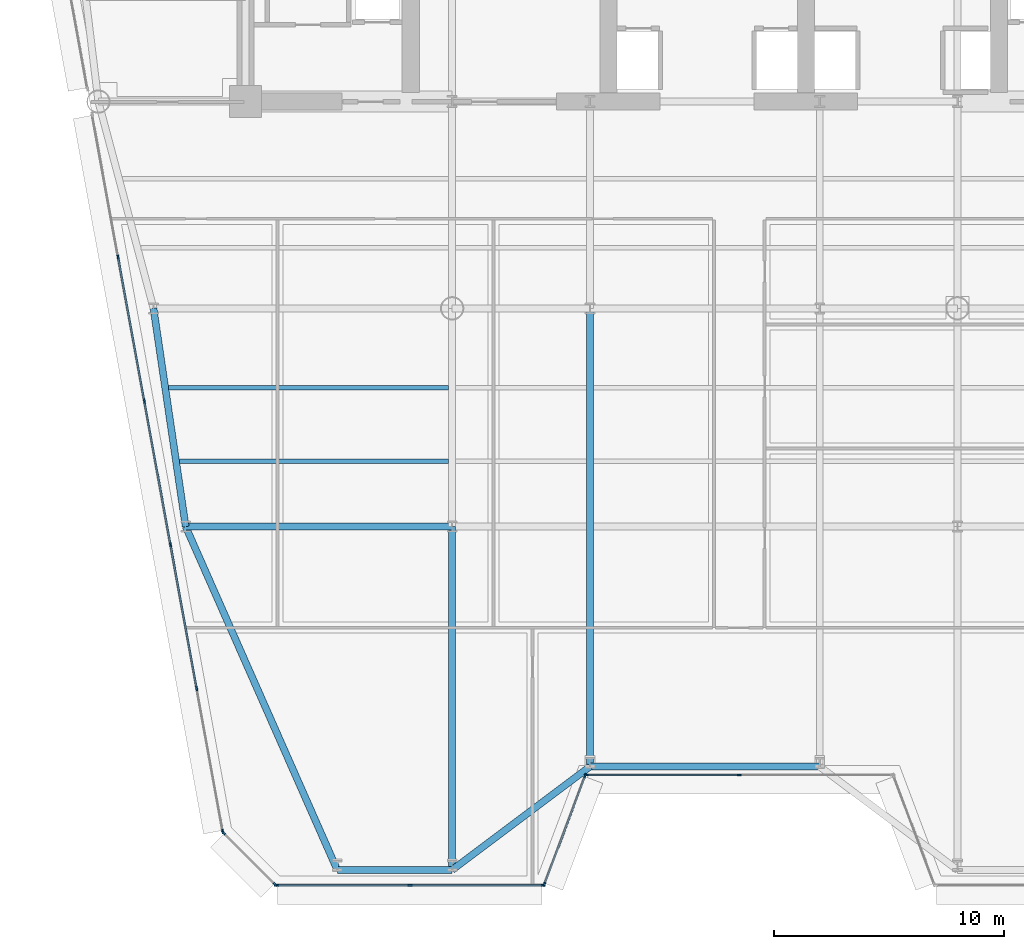
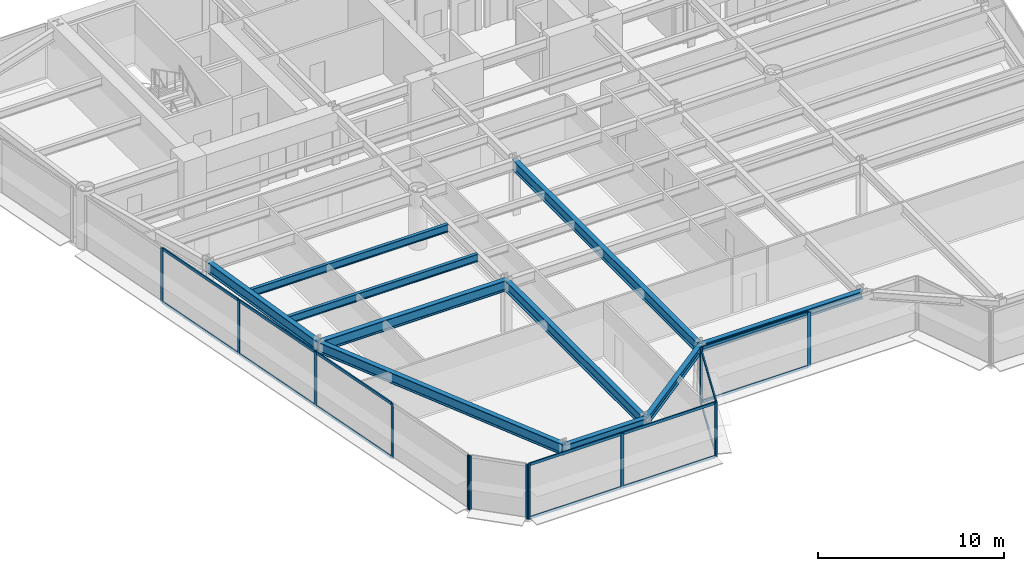
# One storey, part 2 of 14: 28 members, 10 beams, 5 elements without a shape of their own.
"""IFC4 building model written with IfcOpenShell, lengths in metres."""

from ifc_helpers import new_model, si_unit, direction, frame, origin, origin_2d, place, context, subcontext, project, spatial, rectangle, i_section, extrude, source, transform, mapped, material, layer, layer_set, material_profile, profile_set, type_object, element, aggregate, save


model = new_model("IFC4")

# Units and contexts
model_context = context("Model", 3, precision=1e-05, world=origin(), true_north=direction((0.0, 1.0)))
body_context = subcontext(model_context, "Body", "Model", "MODEL_VIEW")
ifc_project = project(units=[si_unit("LENGTHUNIT", "METRE"), si_unit("AREAUNIT", "SQUARE_METRE"), si_unit("VOLUMEUNIT", "CUBIC_METRE"), si_unit("PLANEANGLEUNIT", "RADIAN"), si_unit("MASSUNIT", "GRAM", prefix="KILO")], contexts=[model_context])

# Site, building, storey
site_placement = place(None, origin())
site = spatial("IfcSite", under=ifc_project, at=site_placement, CompositionType="ELEMENT")
building_placement = place(site_placement, origin())
building = spatial("IfcBuilding", under=site, at=building_placement, Name="Vaeldorn Concourse Tower", CompositionType="ELEMENT")
storey_placement = place(building_placement, frame((0.0, 0.0, 107.199951171875)))
storey = spatial("IfcBuildingStorey", under=building, at=storey_placement, Name="L27", CompositionType="ELEMENT", Elevation=107.199951171875)

# Beams
ifc_material_1 = material(Name="Steel S355", Category="steel")
ifc_material_profile_1 = material_profile(ifc_material_1, i_section(OverallWidth=0.199951171875, OverallDepth=0.5, WebThickness=0.01025390625, FlangeThickness=0.01611328125, FilletRadius=0.02099609375, at=origin_2d()), Name="IPE 500")
ifc_profile_set_1 = profile_set([ifc_material_profile_1], Name="Steel S355")
beam_type_1 = type_object("IfcBeamType", Name="BM-JS-IPE500", PredefinedType="JOIST", material=ifc_profile_set_1)
shared_shape_1 = source(origin(), body_context, "Body", "SweptSolid", [
    extrude(i_section(OverallWidth=0.199951171875, OverallDepth=0.5, WebThickness=0.01025390625, FlangeThickness=0.01611328125, FilletRadius=0.02099609375, at=origin_2d()), origin(), (0.0, 0.0, 1.0), 11.718505859375),
])
beam_1_placement = place(storey_placement, frame((11.131591796875, 20.840087890625, 3.330078125), z_axis=(1.0, 0.0, 0.0), x_axis=(0.0, 1.0, 0.0)))
element("IfcBeam", 1, at=beam_1_placement, inside=storey, type_object=beam_type_1, Name="Beam JS-L27-W1-208", PredefinedType="JOIST", context=body_context, shape_type="MappedRepresentation", body=[
    mapped(shared_shape_1, transform((0.0, 0.0, 0.0), scale=1.0)),
])
shared_shape_2 = source(origin(), body_context, "Body", "SweptSolid", [
    extrude(i_section(OverallWidth=0.199951171875, OverallDepth=0.5, WebThickness=0.01025390625, FlangeThickness=0.01611328125, FilletRadius=0.02099609375, at=origin_2d()), origin(), (0.0, 0.0, 1.0), 12.190185546875),
])
beam_2_placement = place(storey_placement, frame((10.659912109375, 24.0400390625, 3.330078125), z_axis=(1.0, 0.0, 0.0), x_axis=(0.0, 1.0, 0.0)))
element("IfcBeam", 2, at=beam_2_placement, inside=storey, type_object=beam_type_1, Name="Beam JS-L27-W1-240", PredefinedType="JOIST", context=body_context, shape_type="MappedRepresentation", body=[
    mapped(shared_shape_2, transform((0.0, 0.0, 0.0), scale=1.0)),
])
ifc_material_profile_2 = material_profile(ifc_material_1, i_section(OverallWidth=0.300048828125, OverallDepth=0.5, WebThickness=0.014404296875, FlangeThickness=0.028076171875, FilletRadius=0.027099609375, at=origin_2d()), Name="HEB 500")
ifc_profile_set_2 = profile_set([ifc_material_profile_2], Name="Steel S355")
beam_type_2 = type_object("IfcBeamType", Name="BM-SP-HEB500", PredefinedType="SPANDREL", material=ifc_profile_set_2)
shared_shape_3 = source(origin(), body_context, "Body", "SweptSolid", [
    extrude(i_section(OverallWidth=0.300048828125, OverallDepth=0.5, WebThickness=0.014404296875, FlangeThickness=0.028076171875, FilletRadius=0.027099609375, at=origin_2d()), origin(), (0.0, 0.0, 1.0), 5.0),
])
beam_3_placement = place(storey_placement, frame((18.0, 3.0517578125, 3.330078125), z_axis=(1.0, 0.0, 0.0), x_axis=(0.0, 1.0, 0.0)))
element("IfcBeam", 3, at=beam_3_placement, inside=storey, type_object=beam_type_2, Name="Beam BM-L27-C-SF1-C-SF2", PredefinedType="SPANDREL", context=body_context, shape_type="MappedRepresentation", body=[
    mapped(shared_shape_3, transform((0.0, 0.0, 0.0), scale=1.0)),
])
shared_shape_4 = source(origin(), body_context, "Body", "SweptSolid", [
    extrude(i_section(OverallWidth=0.300048828125, OverallDepth=0.5, WebThickness=0.014404296875, FlangeThickness=0.028076171875, FilletRadius=0.027099609375, at=origin_2d()), origin(), (0.0, 0.0, 1.0), 7.5),
])
beam_4_placement = place(storey_placement, frame((23.0, 3.0517578125, 3.330078125), z_axis=(0.8, 0.6, 0.0), x_axis=(-0.6, 0.8, 0.0)))
element("IfcBeam", 4, at=beam_4_placement, inside=storey, type_object=beam_type_2, Name="Beam BM-L27-C-SF2-C-SF3", PredefinedType="SPANDREL", context=body_context, shape_type="MappedRepresentation", body=[
    mapped(shared_shape_4, transform((0.0, 0.0, 0.0), scale=1.0)),
])
shared_shape_5 = source(origin(), body_context, "Body", "SweptSolid", [
    extrude(i_section(OverallWidth=0.300048828125, OverallDepth=0.5, WebThickness=0.014404296875, FlangeThickness=0.028076171875, FilletRadius=0.027099609375, at=origin_2d()), origin(), (0.0, 0.0, 1.0), 10.0),
])
beam_5_placement = place(storey_placement, frame((29.0, 7.5517578125, 3.330078125), z_axis=(1.0, 0.0, 0.0), x_axis=(0.0, 1.0, 0.0)))
element("IfcBeam", 5, at=beam_5_placement, inside=storey, type_object=beam_type_2, Name="Beam BM-L27-C-SF3-C-SF4", PredefinedType="SPANDREL", context=body_context, shape_type="MappedRepresentation", body=[
    mapped(shared_shape_5, transform((0.0, 0.0, 0.0), scale=1.0)),
])
ifc_material_profile_3 = material_profile(ifc_material_1, i_section(OverallWidth=0.300048828125, OverallDepth=0.699951171875, WebThickness=0.01708984375, FlangeThickness=0.031982421875, FilletRadius=0.027099609375, at=origin_2d()), Name="HEB 700")
ifc_profile_set_3 = profile_set([ifc_material_profile_3], Name="Steel S355")
beam_type_3 = type_object("IfcBeamType", Name="BM-PG-HEB700", PredefinedType="BEAM", material=ifc_profile_set_3)
shared_shape_6 = source(origin(), body_context, "Body", "SweptSolid", [
    extrude(i_section(OverallWidth=0.300048828125, OverallDepth=0.699951171875, WebThickness=0.01708984375, FlangeThickness=0.031982421875, FilletRadius=0.027099609375, at=origin_2d()), origin(), (0.0, 0.0, 1.0), 9.6025390625),
])
beam_6_placement = place(storey_placement, frame((10.0, 27.5, 3.22998046875), z_axis=(0.145783835977, -0.989316467652, 0.0), x_axis=(0.989316467652, 0.145783835977, 0.0)))
element("IfcBeam", 6, at=beam_6_placement, inside=storey, type_object=beam_type_3, Name="Beam BM-L27-C-FLW1-C-FLW2", PredefinedType="BEAM", context=body_context, shape_type="MappedRepresentation", body=[
    mapped(shared_shape_6, transform((0.0, 0.0, 0.0), scale=1.0)),
])
shared_shape_7 = source(origin(), body_context, "Body", "SweptSolid", [
    extrude(i_section(OverallWidth=0.300048828125, OverallDepth=0.699951171875, WebThickness=0.01708984375, FlangeThickness=0.031982421875, FilletRadius=0.027099609375, at=origin_2d()), origin(), (0.0, 0.0, 1.0), 11.60009765625),
])
beam_7_placement = place(storey_placement, frame((11.39990234375, 18.0, 3.22998046875), z_axis=(1.0, 0.0, 0.0), x_axis=(0.0, 1.0, 0.0)))
element("IfcBeam", 7, at=beam_7_placement, inside=storey, type_object=beam_type_3, Name="Beam BM-L27-C-FLW2-C-TW5", PredefinedType="BEAM", context=body_context, shape_type="MappedRepresentation", body=[
    mapped(shared_shape_7, transform((0.0, 0.0, 0.0), scale=1.0)),
])
shared_shape_8 = source(origin(), body_context, "Body", "SweptSolid", [
    extrude(i_section(OverallWidth=0.300048828125, OverallDepth=0.699951171875, WebThickness=0.01708984375, FlangeThickness=0.031982421875, FilletRadius=0.027099609375, at=origin_2d()), origin(), (0.0, 0.0, 1.0), 16.340576171875),
])
beam_8_placement = place(storey_placement, frame((18.0, 3.0517578125, 3.22998046875), z_axis=(-0.403910920123, 0.914798321274, 0.0), x_axis=(-0.914798321274, -0.403910920123, 0.0)))
element("IfcBeam", 8, at=beam_8_placement, inside=storey, type_object=beam_type_3, Name="Beam BM-L27-C-SF1-C-FLW2", PredefinedType="BEAM", context=body_context, shape_type="MappedRepresentation", body=[
    mapped(shared_shape_8, transform((0.0, 0.0, 0.0), scale=1.0)),
])
shared_shape_9 = source(origin(), body_context, "Body", "SweptSolid", [
    extrude(i_section(OverallWidth=0.300048828125, OverallDepth=0.699951171875, WebThickness=0.01708984375, FlangeThickness=0.031982421875, FilletRadius=0.027099609375, at=origin_2d()), origin(), (0.0, 0.0, 1.0), 14.9482421875),
])
beam_9_placement = place(storey_placement, frame((23.0, 3.0517578125, 3.22998046875), z_axis=(0.0, 1.0, 0.0), x_axis=(-1.0, 0.0, 0.0)))
element("IfcBeam", 9, at=beam_9_placement, inside=storey, type_object=beam_type_3, Name="Beam BM-L27-C-SF2-C-TW5", PredefinedType="BEAM", context=body_context, shape_type="MappedRepresentation", body=[
    mapped(shared_shape_9, transform((0.0, 0.0, 0.0), scale=1.0)),
])
shared_shape_10 = source(origin(), body_context, "Body", "SweptSolid", [
    extrude(i_section(OverallWidth=0.300048828125, OverallDepth=0.699951171875, WebThickness=0.01708984375, FlangeThickness=0.031982421875, FilletRadius=0.027099609375, at=origin_2d()), origin(), (0.0, 0.0, 1.0), 19.9482421875),
])
beam_10_placement = place(storey_placement, frame((29.0, 7.5517578125, 3.22998046875), z_axis=(0.0, 1.0, 0.0), x_axis=(-1.0, 0.0, 0.0)))
element("IfcBeam", 10, at=beam_10_placement, inside=storey, type_object=beam_type_3, Name="Beam BM-L27-C-SF3-C-TW2", PredefinedType="BEAM", context=body_context, shape_type="MappedRepresentation", body=[
    mapped(shared_shape_10, transform((0.0, 0.0, 0.0), scale=1.0)),
])

# Curtain wall, members
ifc_material_2 = material(Name="Anodised Bronze Aluminium", Category="aluminium")
ifc_layer = layer(ifc_material_2, 0.199951171875)
ifc_layer_set = layer_set([ifc_layer], Name="Anodised Bronze Aluminium")
curtain_wall_type = type_object("IfcCurtainWallType", Name="CW-SYS-02", PredefinedType="NOTDEFINED", material=ifc_layer_set)
curtain_wall_1_placement = place(storey_placement, origin())
curtain_wall_1 = element("IfcCurtainWall", 11, at=curtain_wall_1_placement, inside=storey, type_object=curtain_wall_type, Name="Unitised Curtain Wall CW-L27-E03-1", PredefinedType="NOTDEFINED")
ifc_material_profile_4 = material_profile(ifc_material_2, rectangle(XDim=0.074951171875, YDim=0.179931640625, at=origin_2d()), Name="CWT 75x180")
ifc_profile_set_4 = profile_set([ifc_material_profile_4], Name="Anodised Bronze Aluminium")
member_type_1 = type_object("IfcMemberType", Name="CWT-BRONZE-180", PredefinedType="USERDEFINED", material=ifc_profile_set_4)
shared_shape_11 = source(origin(), body_context, "Body", "SweptSolid", [
    extrude(rectangle(XDim=0.074951171875, YDim=0.179931640625, at=origin_2d()), origin(), (0.0, 0.0, 1.0), 6.58740234375),
])
member_1_placement = place(storey_placement, frame((28.875, 7.19091796875, 0.03759765625), z_axis=(1.0, 0.0, 0.0), x_axis=(0.0, 1.0, 0.0)))
member_1 = element("IfcMember", 12, at=member_1_placement, type_object=member_type_1, Name="CW-02 transom 1.1", ObjectType="TRANSOM", PredefinedType="USERDEFINED", context=body_context, shape_type="MappedRepresentation", body=[
    mapped(shared_shape_11, transform((0.0, 0.0, 0.0), scale=1.0)),
])
member_2_placement = place(storey_placement, frame((28.875, 7.19091796875, 3.54248046875), z_axis=(1.0, 0.0, 0.0), x_axis=(0.0, 1.0, 0.0)))
member_2 = element("IfcMember", 13, at=member_2_placement, type_object=member_type_1, Name="CW-02 transom 1.2", ObjectType="TRANSOM", PredefinedType="USERDEFINED", context=body_context, shape_type="MappedRepresentation", body=[
    mapped(shared_shape_11, transform((0.0, 0.0, 0.0), scale=1.0)),
])

curtain_wall_2_placement = place(storey_placement, origin())
curtain_wall_2 = element("IfcCurtainWall", 14, at=curtain_wall_2_placement, inside=storey, type_object=curtain_wall_type, Name="Unitised Curtain Wall CW-L27-E02-1", PredefinedType="NOTDEFINED")
shared_shape_12 = source(origin(), body_context, "Body", "SweptSolid", [
    extrude(rectangle(XDim=0.074951171875, YDim=0.179931640625, at=origin_2d()), origin(), (0.0, 0.0, 1.0), 4.9765625),
])
member_3_placement = place(storey_placement, frame((27.0263671875, 2.4609375, 0.03759765625), z_axis=(0.351112688987, 0.936333209724, 0.0), x_axis=(-0.936333209724, 0.351112688987, 0.0)))
member_3 = element("IfcMember", 15, at=member_3_placement, type_object=member_type_1, Name="CW-02 transom 1.1", ObjectType="TRANSOM", PredefinedType="USERDEFINED", context=body_context, shape_type="MappedRepresentation", body=[
    mapped(shared_shape_12, transform((0.0, 0.0, 0.0), scale=1.0)),
])
member_4_placement = place(storey_placement, frame((27.0263671875, 2.4609375, 3.54248046875), z_axis=(0.351112688987, 0.936333209724, 0.0), x_axis=(-0.936333209724, 0.351112688987, 0.0)))
member_4 = element("IfcMember", 16, at=member_4_placement, type_object=member_type_1, Name="CW-02 transom 1.2", ObjectType="TRANSOM", PredefinedType="USERDEFINED", context=body_context, shape_type="MappedRepresentation", body=[
    mapped(shared_shape_12, transform((0.0, 0.0, 0.0), scale=1.0)),
])

curtain_wall_3_placement = place(storey_placement, origin())
curtain_wall_3 = element("IfcCurtainWall", 17, at=curtain_wall_3_placement, inside=storey, type_object=curtain_wall_type, Name="Unitised Curtain Wall CW-L27-E01-1", PredefinedType="NOTDEFINED")
shared_shape_13 = source(origin(), body_context, "Body", "SweptSolid", [
    extrude(rectangle(XDim=0.074951171875, YDim=0.179931640625, at=origin_2d()), origin(), (0.0, 0.0, 1.0), 5.727294921875),
])
member_5_placement = place(storey_placement, frame((15.3955078125, 2.390869140625, 0.03759765625), z_axis=(1.0, 0.0, 0.0), x_axis=(0.0, 1.0, 0.0)))
member_5 = element("IfcMember", 18, at=member_5_placement, type_object=member_type_1, Name="CW-02 transom 1.1", ObjectType="TRANSOM", PredefinedType="USERDEFINED", context=body_context, shape_type="MappedRepresentation", body=[
    mapped(shared_shape_13, transform((0.0, 0.0, 0.0), scale=1.0)),
])
member_6_placement = place(storey_placement, frame((15.3955078125, 2.390869140625, 3.54248046875), z_axis=(1.0, 0.0, 0.0), x_axis=(0.0, 1.0, 0.0)))
member_6 = element("IfcMember", 19, at=member_6_placement, type_object=member_type_1, Name="CW-02 transom 1.2", ObjectType="TRANSOM", PredefinedType="USERDEFINED", context=body_context, shape_type="MappedRepresentation", body=[
    mapped(shared_shape_13, transform((0.0, 0.0, 0.0), scale=1.0)),
])
member_7_placement = place(storey_placement, frame((21.19775390625, 2.390869140625, 0.03759765625), z_axis=(1.0, 0.0, 0.0), x_axis=(0.0, 1.0, 0.0)))
member_7 = element("IfcMember", 20, at=member_7_placement, type_object=member_type_1, Name="CW-02 transom 2.1", ObjectType="TRANSOM", PredefinedType="USERDEFINED", context=body_context, shape_type="MappedRepresentation", body=[
    mapped(shared_shape_13, transform((0.0, 0.0, 0.0), scale=1.0)),
])
member_8_placement = place(storey_placement, frame((21.19775390625, 2.390869140625, 3.54248046875), z_axis=(1.0, 0.0, 0.0), x_axis=(0.0, 1.0, 0.0)))
member_8 = element("IfcMember", 21, at=member_8_placement, type_object=member_type_1, Name="CW-02 transom 2.2", ObjectType="TRANSOM", PredefinedType="USERDEFINED", context=body_context, shape_type="MappedRepresentation", body=[
    mapped(shared_shape_13, transform((0.0, 0.0, 0.0), scale=1.0)),
])
ifc_material_profile_5 = material_profile(ifc_material_2, rectangle(XDim=0.074951171875, YDim=0.18994140625, at=origin_2d()), Name="CWM 75x190")
ifc_profile_set_5 = profile_set([ifc_material_profile_5], Name="Anodised Bronze Aluminium")
member_type_2 = type_object("IfcMemberType", Name="CWM-BRONZE-190", PredefinedType="MULLION", material=ifc_profile_set_5)
shared_shape_14 = source(origin(), body_context, "Body", "SweptSolid", [
    extrude(rectangle(XDim=0.074951171875, YDim=0.18994140625, at=origin_2d()), origin(), (0.0, 0.0, 1.0), 3.580078125),
])
member_9_placement = place(storey_placement, frame((15.35791015625, 2.390869140625, 0.0), z_axis=(0.0, 0.0, 1.0), x_axis=(0.0, 1.0, 0.0)))
member_9 = element("IfcMember", 22, at=member_9_placement, type_object=member_type_2, Name="CW-02 mullion 1", PredefinedType="MULLION", context=body_context, shape_type="MappedRepresentation", body=[
    mapped(shared_shape_14, transform((0.0, 0.0, 0.0), scale=1.0)),
])
member_10_placement = place(storey_placement, frame((21.16015625, 2.390869140625, 0.0), z_axis=(0.0, 0.0, 1.0), x_axis=(0.0, 1.0, 0.0)))
member_10 = element("IfcMember", 23, at=member_10_placement, type_object=member_type_2, Name="CW-02 mullion 2", PredefinedType="MULLION", context=body_context, shape_type="MappedRepresentation", body=[
    mapped(shared_shape_14, transform((0.0, 0.0, 0.0), scale=1.0)),
])
member_11_placement = place(storey_placement, frame((26.96240234375, 2.390869140625, 0.0), z_axis=(0.0, 0.0, 1.0), x_axis=(0.0, 1.0, 0.0)))
member_11 = element("IfcMember", 24, at=member_11_placement, type_object=member_type_2, Name="CW-02 mullion 3", PredefinedType="MULLION", context=body_context, shape_type="MappedRepresentation", body=[
    mapped(shared_shape_14, transform((0.0, 0.0, 0.0), scale=1.0)),
])
aggregate(curtain_wall_3, [member_9, member_10, member_11, member_5, member_6, member_7, member_8])

# Member
member_12_placement = place(storey_placement, frame((27.01318359375, 2.426025390625, 0.0), z_axis=(0.0, 0.0, 1.0), x_axis=(-0.936329177566, 0.351123441595, 0.0)))
member_12 = element("IfcMember", 25, at=member_12_placement, type_object=member_type_2, Name="CW-02 mullion 1", PredefinedType="MULLION", context=body_context, shape_type="MappedRepresentation", body=[
    mapped(shared_shape_14, transform((0.0, 0.0, 0.0), scale=1.0)),
])

member_13_placement = place(storey_placement, frame((28.786865234375, 7.15576171875, 0.0), z_axis=(0.0, 0.0, 1.0), x_axis=(-0.936329177566, 0.351123441595, 0.0)))
member_13 = element("IfcMember", 26, at=member_13_placement, type_object=member_type_2, Name="CW-02 mullion 2", PredefinedType="MULLION", context=body_context, shape_type="MappedRepresentation", body=[
    mapped(shared_shape_14, transform((0.0, 0.0, 0.0), scale=1.0)),
])

aggregate(curtain_wall_2, [member_12, member_13, member_3, member_4])

member_14_placement = place(storey_placement, frame((28.83740234375, 7.19091796875, 0.0), z_axis=(0.0, 0.0, 1.0), x_axis=(0.0, 1.0, 0.0)))
member_14 = element("IfcMember", 27, at=member_14_placement, type_object=member_type_2, Name="CW-02 mullion 1", PredefinedType="MULLION", context=body_context, shape_type="MappedRepresentation", body=[
    mapped(shared_shape_14, transform((0.0, 0.0, 0.0), scale=1.0)),
])

member_15_placement = place(storey_placement, frame((35.5, 7.19091796875, 0.0), z_axis=(0.0, 0.0, 1.0), x_axis=(0.0, 1.0, 0.0)))
member_15 = element("IfcMember", 28, at=member_15_placement, type_object=member_type_2, Name="CW-02 mullion 2", PredefinedType="MULLION", context=body_context, shape_type="MappedRepresentation", body=[
    mapped(shared_shape_14, transform((0.0, 0.0, 0.0), scale=1.0)),
])

aggregate(curtain_wall_1, [member_14, member_15, member_1, member_2])

# Curtain wall, members
curtain_wall_4_placement = place(storey_placement, origin())
curtain_wall_4 = element("IfcCurtainWall", 29, at=curtain_wall_4_placement, inside=storey, type_object=curtain_wall_type, Name="Unitised Curtain Wall CW-L27-E11-2", PredefinedType="NOTDEFINED")
member_16_placement = place(storey_placement, frame((8.458251953125, 29.723876953125, 0.0), z_axis=(0.0, 0.0, 1.0), x_axis=(0.983795727872, 0.179292960877, 0.0)))
member_16 = element("IfcMember", 30, at=member_16_placement, type_object=member_type_2, Name="CW-02 mullion 2", PredefinedType="MULLION", context=body_context, shape_type="MappedRepresentation", body=[
    mapped(shared_shape_14, transform((0.0, 0.0, 0.0), scale=1.0)),
])
member_17_placement = place(storey_placement, frame((9.598876953125, 23.465576171875, 0.0), z_axis=(0.0, 0.0, 1.0), x_axis=(0.983795727872, 0.179292960877, 0.0)))
member_17 = element("IfcMember", 31, at=member_17_placement, type_object=member_type_2, Name="CW-02 mullion 3", PredefinedType="MULLION", context=body_context, shape_type="MappedRepresentation", body=[
    mapped(shared_shape_14, transform((0.0, 0.0, 0.0), scale=1.0)),
])
member_18_placement = place(storey_placement, frame((10.739501953125, 17.207275390625, 0.0), z_axis=(0.0, 0.0, 1.0), x_axis=(0.983795727872, 0.179292960877, 0.0)))
member_18 = element("IfcMember", 32, at=member_18_placement, type_object=member_type_2, Name="CW-02 mullion 4", PredefinedType="MULLION", context=body_context, shape_type="MappedRepresentation", body=[
    mapped(shared_shape_14, transform((0.0, 0.0, 0.0), scale=1.0)),
])
member_19_placement = place(storey_placement, frame((11.8798828125, 10.948974609375, 0.0), z_axis=(0.0, 0.0, 1.0), x_axis=(0.983795727872, 0.179292960877, 0.0)))
member_19 = element("IfcMember", 33, at=member_19_placement, type_object=member_type_2, Name="CW-02 mullion 5", PredefinedType="MULLION", context=body_context, shape_type="MappedRepresentation", body=[
    mapped(shared_shape_14, transform((0.0, 0.0, 0.0), scale=1.0)),
])
member_20_placement = place(storey_placement, frame((13.013671875, 4.727783203125, 0.0), z_axis=(0.0, 0.0, 1.0), x_axis=(0.983795727872, 0.179292960877, 0.0)))
member_20 = element("IfcMember", 34, at=member_20_placement, type_object=member_type_2, Name="CW-02 mullion 6", PredefinedType="MULLION", context=body_context, shape_type="MappedRepresentation", body=[
    mapped(shared_shape_14, transform((0.0, 0.0, 0.0), scale=1.0)),
])

curtain_wall_5_placement = place(storey_placement, origin())
curtain_wall_5 = element("IfcCurtainWall", 35, at=curtain_wall_5_placement, inside=storey, type_object=curtain_wall_type, Name="Unitised Curtain Wall CW-L27-E12-1", PredefinedType="NOTDEFINED")
member_21_placement = place(storey_placement, frame((13.047119140625, 4.664306640625, 0.0), z_axis=(0.0, 0.0, 1.0), x_axis=(0.707106781187, 0.707106781187, 0.0)))
member_21 = element("IfcMember", 36, at=member_21_placement, type_object=member_type_2, Name="CW-02 mullion 1", PredefinedType="MULLION", context=body_context, shape_type="MappedRepresentation", body=[
    mapped(shared_shape_14, transform((0.0, 0.0, 0.0), scale=1.0)),
])
member_22_placement = place(storey_placement, frame((15.2939453125, 2.417236328125, 0.0), z_axis=(0.0, 0.0, 1.0), x_axis=(0.707106781187, 0.707106781187, 0.0)))
member_22 = element("IfcMember", 37, at=member_22_placement, type_object=member_type_2, Name="CW-02 mullion 2", PredefinedType="MULLION", context=body_context, shape_type="MappedRepresentation", body=[
    mapped(shared_shape_14, transform((0.0, 0.0, 0.0), scale=1.0)),
])
aggregate(curtain_wall_5, [member_21, member_22])

# Member
shared_shape_15 = source(origin(), body_context, "Body", "SweptSolid", [
    extrude(rectangle(XDim=0.074951171875, YDim=0.179931640625, at=origin_2d()), origin(), (0.0, 0.0, 1.0), 6.286376953125),
])
member_23_placement = place(storey_placement, frame((9.605712890625, 23.4287109375, 0.03759765625), z_axis=(0.179268194881, -0.983800241057, 0.0), x_axis=(0.983800241057, 0.179268194881, 0.0)))
member_23 = element("IfcMember", 38, at=member_23_placement, type_object=member_type_1, Name="CW-02 transom 3.1", ObjectType="TRANSOM", PredefinedType="USERDEFINED", context=body_context, shape_type="MappedRepresentation", body=[
    mapped(shared_shape_15, transform((0.0, 0.0, 0.0), scale=1.0)),
])

member_24_placement = place(storey_placement, frame((9.605712890625, 23.4287109375, 3.54248046875), z_axis=(0.179268194881, -0.983800241057, 0.0), x_axis=(0.983800241057, 0.179268194881, 0.0)))
member_24 = element("IfcMember", 39, at=member_24_placement, type_object=member_type_1, Name="CW-02 transom 3.2", ObjectType="TRANSOM", PredefinedType="USERDEFINED", context=body_context, shape_type="MappedRepresentation", body=[
    mapped(shared_shape_15, transform((0.0, 0.0, 0.0), scale=1.0)),
])

member_25_placement = place(storey_placement, frame((10.74609375, 17.17041015625, 0.03759765625), z_axis=(0.179305782668, -0.983793391064, 0.0), x_axis=(0.983793391064, 0.179305782668, 0.0)))
member_25 = element("IfcMember", 40, at=member_25_placement, type_object=member_type_1, Name="CW-02 transom 4.1", ObjectType="TRANSOM", PredefinedType="USERDEFINED", context=body_context, shape_type="MappedRepresentation", body=[
    mapped(shared_shape_15, transform((0.0, 0.0, 0.0), scale=1.0)),
])

member_26_placement = place(storey_placement, frame((10.74609375, 17.17041015625, 3.54248046875), z_axis=(0.179305782668, -0.983793391064, 0.0), x_axis=(0.983793391064, 0.179305782668, 0.0)))
member_26 = element("IfcMember", 41, at=member_26_placement, type_object=member_type_1, Name="CW-02 transom 4.2", ObjectType="TRANSOM", PredefinedType="USERDEFINED", context=body_context, shape_type="MappedRepresentation", body=[
    mapped(shared_shape_15, transform((0.0, 0.0, 0.0), scale=1.0)),
])

shared_shape_16 = source(origin(), body_context, "Body", "SweptSolid", [
    extrude(rectangle(XDim=0.074951171875, YDim=0.179931640625, at=origin_2d()), origin(), (0.0, 0.0, 1.0), 6.2861328125),
])
member_27_placement = place(storey_placement, frame((8.465087890625, 29.686767578125, 0.03759765625), z_axis=(0.179275044461, -0.983798992901, 0.0), x_axis=(0.983798992901, 0.179275044461, 0.0)))
member_27 = element("IfcMember", 42, at=member_27_placement, type_object=member_type_1, Name="CW-02 transom 2.1", ObjectType="TRANSOM", PredefinedType="USERDEFINED", context=body_context, shape_type="MappedRepresentation", body=[
    mapped(shared_shape_16, transform((0.0, 0.0, 0.0), scale=1.0)),
])

member_28_placement = place(storey_placement, frame((8.465087890625, 29.686767578125, 3.54248046875), z_axis=(0.179275044461, -0.983798992901, 0.0), x_axis=(0.983798992901, 0.179275044461, 0.0)))
member_28 = element("IfcMember", 43, at=member_28_placement, type_object=member_type_1, Name="CW-02 transom 2.2", ObjectType="TRANSOM", PredefinedType="USERDEFINED", context=body_context, shape_type="MappedRepresentation", body=[
    mapped(shared_shape_16, transform((0.0, 0.0, 0.0), scale=1.0)),
])

aggregate(curtain_wall_4, [member_16, member_17, member_18, member_19, member_20, member_27, member_28, member_23, member_24, member_25, member_26])

save(model, "model.ifc")
